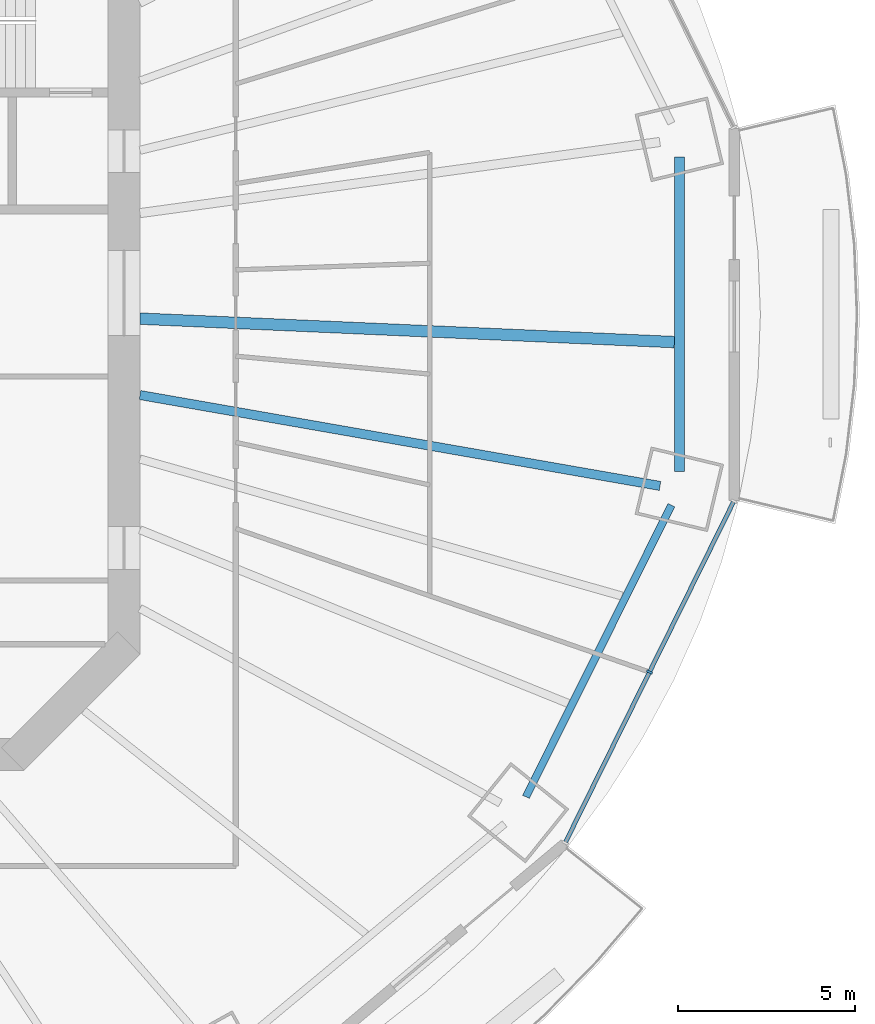
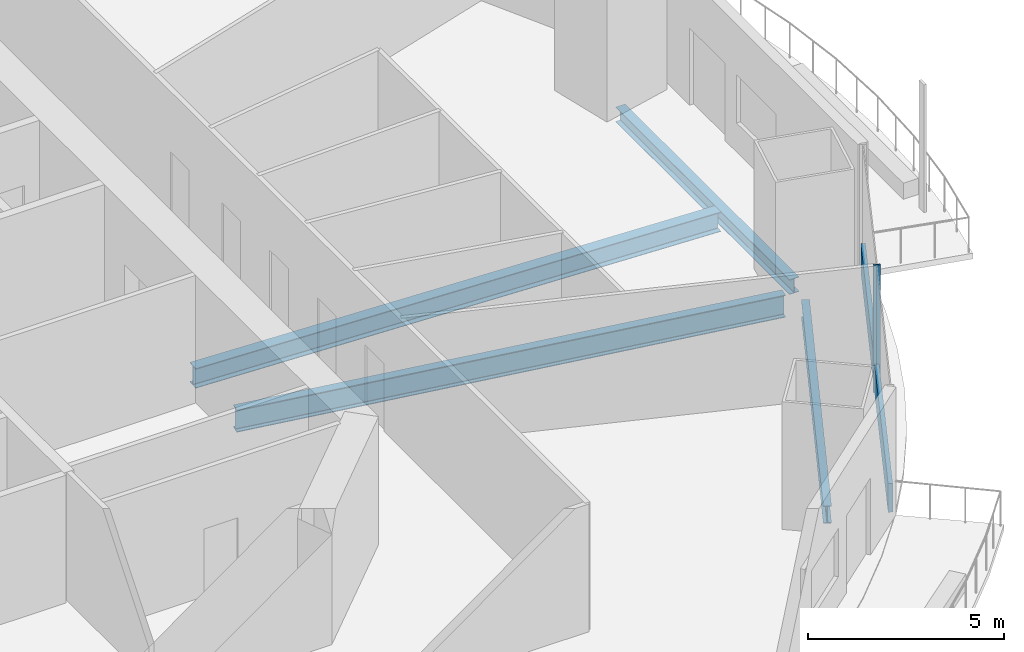
# One storey, part 5 of 20: 4 beams, 2 members, 1 element without a shape of its own.
"""IFC4 building model written with IfcOpenShell, lengths in metres."""

from ifc_helpers import new_model, si_unit, direction, frame, origin, origin_2d, place, context, subcontext, project, spatial, rectangle, i_section, extrude, material, material_profile, profile_set, type_object, element, aggregate, save


model = new_model("IFC4")

# Units and contexts
model_context = context("Model", 3, precision=1e-05, world=origin(), true_north=direction((0.0, 1.0)))
body_context = subcontext(model_context, "Body", "Model", "MODEL_VIEW")
ifc_project = project(units=[si_unit("LENGTHUNIT", "METRE"), si_unit("AREAUNIT", "SQUARE_METRE"), si_unit("VOLUMEUNIT", "CUBIC_METRE"), si_unit("PLANEANGLEUNIT", "RADIAN"), si_unit("MASSUNIT", "GRAM", prefix="KILO")], contexts=[model_context])

# Site, building, storey
site_placement = place(None, origin())
site = spatial("IfcSite", under=ifc_project, at=site_placement, CompositionType="ELEMENT")
building_placement = place(site_placement, origin())
building = spatial("IfcBuilding", under=site, at=building_placement, Name="Marenthal Gate Tower", CompositionType="ELEMENT")
storey_placement = place(building_placement, frame((0.0, 0.0, 194.25)))
storey = spatial("IfcBuildingStorey", under=building, at=storey_placement, Name="L42", CompositionType="ELEMENT", Elevation=194.25)

# Curtain wall, members
ifc_material_1 = material(Name="Aluminium and glass", Category="aluminium")
curtain_wall_type = type_object("IfcCurtainWallType", Name="Curtain wall typical mid", PredefinedType="NOTDEFINED", material=ifc_material_1)
curtain_wall_placement = place(storey_placement, origin())
curtain_wall = element("IfcCurtainWall", 1, at=curtain_wall_placement, inside=storey, type_object=curtain_wall_type, Name="Curtain wall L42 bay 15", PredefinedType="NOTDEFINED")
ifc_material_2 = material(Name="Aluminium", Category="aluminium")
ifc_material_profile_1 = material_profile(ifc_material_2, rectangle(XDim=0.179931640625, YDim=0.06005859375, at=origin_2d()), Name="60x180 aluminium mullion")
ifc_profile_set_1 = profile_set([ifc_material_profile_1], Name="Aluminium")
member_type_1 = type_object("IfcMemberType", Name="Mullion 60x180 typical mid", PredefinedType="MULLION", material=ifc_profile_set_1)
member_1_placement = place(storey_placement, frame((30.8095703125, -10.681640625, 0.0), z_axis=(0.0, 0.0, 1.0), x_axis=(-0.896680826174, 0.442677643406, 0.0)))
member_1 = element("IfcMember", 2, at=member_1_placement, type_object=member_type_1, Name="Mullion L42 bay 15.2", PredefinedType="MULLION", context=body_context, shape_type="SweptSolid", body=[
    extrude(rectangle(XDim=0.179931640625, YDim=0.06005859375, at=origin_2d()), origin(), (0.0, 0.0, 1.0), 3.969970703125),
])
ifc_material_3 = material(Name="Aluminium", Category="aluminium")
ifc_material_profile_2 = material_profile(ifc_material_3, rectangle(XDim=0.1201171875, YDim=0.89990234375, at=origin_2d()), Name="120x900 aluminium transom")
ifc_profile_set_2 = profile_set([ifc_material_profile_2], Name="Aluminium")
member_type_2 = type_object("IfcMemberType", Name="Transom 120x900 typical mid", PredefinedType="USERDEFINED", material=ifc_profile_set_2)
member_2_placement = place(storey_placement, frame((28.446044921875, -15.469482421875, 0.449951171875), z_axis=(0.442681148618, 0.896679095696, 0.0), x_axis=(-0.896679095696, 0.442681148618, 0.0)))
member_2 = element("IfcMember", 3, at=member_2_placement, type_object=member_type_2, Name="Transom L42 bay 15", ObjectType="TRANSOM", PredefinedType="USERDEFINED", context=body_context, shape_type="SweptSolid", body=[
    extrude(rectangle(XDim=0.1201171875, YDim=0.89990234375, at=origin_2d()), origin(), (0.0, 0.0, 1.0), 10.6787109375),
])
aggregate(curtain_wall, [member_1, member_2])

# Beams
ifc_material_4 = material(Name="Steel S355", Category="steel")
ifc_material_profile_3 = material_profile(ifc_material_4, i_section(OverallWidth=0.279052734375, OverallDepth=0.4619140625, WebThickness=0.0107421875, FlangeThickness=0.017333984375, FilletRadius=0.010009765625, at=origin_2d()), Name="W460X113")
ifc_profile_set_3 = profile_set([ifc_material_profile_3], Name="Steel S355")
beam_type_1 = type_object("IfcBeamType", Name="W460X113 beam", PredefinedType="BEAM", material=ifc_profile_set_3)
beam_1_placement = place(storey_placement, frame((31.650146484375, -5.029541015625, -0.410888671875), z_axis=(0.0, 1.0, 0.0), x_axis=(-1.0, 0.0, 0.0)))
element("IfcBeam", 4, at=beam_1_placement, inside=storey, type_object=beam_type_1, Name="BM-L42-56", PredefinedType="BEAM", context=body_context, shape_type="SweptSolid", body=[
    extrude(i_section(OverallWidth=0.279052734375, OverallDepth=0.4619140625, WebThickness=0.0107421875, FlangeThickness=0.017333984375, FilletRadius=0.010009765625, at=origin_2d()), origin(), (0.0, 0.0, 1.0), 8.859130859375),
])
ifc_material_5 = material(Name="Steel S355", Category="steel")
ifc_material_profile_4 = material_profile(ifc_material_5, i_section(OverallWidth=0.2119140625, OverallDepth=0.5439453125, WebThickness=0.01318359375, FlangeThickness=0.021240234375, FilletRadius=0.0126953125, at=origin_2d()), Name="W530X123")
ifc_profile_set_4 = profile_set([ifc_material_profile_4], Name="Steel S355")
beam_type_2 = type_object("IfcBeamType", Name="W530X123 beam", PredefinedType="BEAM", material=ifc_profile_set_4)
beam_2_placement = place(storey_placement, frame((27.327880859375, -14.19970703125, -0.451904296875), z_axis=(0.446267064466, 0.894899830804, 0.0), x_axis=(-0.894899830804, 0.446267064466, 0.0)))
element("IfcBeam", 5, at=beam_2_placement, inside=storey, type_object=beam_type_2, Name="BM-L42-55", PredefinedType="BEAM", context=body_context, shape_type="SweptSolid", body=[
    extrude(i_section(OverallWidth=0.2119140625, OverallDepth=0.5439453125, WebThickness=0.01318359375, FlangeThickness=0.021240234375, FilletRadius=0.0126953125, at=origin_2d()), origin(), (0.0, 0.0, 1.0), 9.184814453125),
])
ifc_material_6 = material(Name="Steel S355", Category="steel")
ifc_material_profile_5 = material_profile(ifc_material_6, i_section(OverallWidth=0.324951171875, OverallDepth=0.612060546875, WebThickness=0.0126953125, FlangeThickness=0.01904296875, FilletRadius=0.0126953125, at=origin_2d()), Name="W610X155")
ifc_profile_set_5 = profile_set([ifc_material_profile_5], Name="Steel S355")
beam_type_3 = type_object("IfcBeamType", Name="W610X155 beam", PredefinedType="BEAM", material=ifc_profile_set_5)
beam_3_placement = place(storey_placement, frame((31.5107421875, -1.383056640625, -0.486083984375), z_axis=(-0.999037889945, 0.043855381121, 0.0), x_axis=(-0.043855381121, -0.999037889945, 0.0)))
element("IfcBeam", 6, at=beam_3_placement, inside=storey, type_object=beam_type_3, Name="BM-L42-40", PredefinedType="BEAM", context=body_context, shape_type="SweptSolid", body=[
    extrude(i_section(OverallWidth=0.324951171875, OverallDepth=0.612060546875, WebThickness=0.0126953125, FlangeThickness=0.01904296875, FilletRadius=0.0126953125, at=origin_2d()), origin(), (0.0, 0.0, 1.0), 15.0751953125),
])
ifc_material_7 = material(Name="Steel S355", Category="steel")
ifc_material_profile_6 = material_profile(ifc_material_7, i_section(OverallWidth=0.257080078125, OverallDepth=0.693115234375, WebThickness=0.014404296875, FlangeThickness=0.023681640625, FilletRadius=0.015380859375, at=origin_2d()), Name="W690X170")
ifc_profile_set_6 = profile_set([ifc_material_profile_6], Name="Steel S355")
beam_type_4 = type_object("IfcBeamType", Name="W690X170 beam", PredefinedType="BEAM", material=ifc_profile_set_6)
beam_4_placement = place(storey_placement, frame((31.1064453125, -5.43701171875, -0.526611328125), z_axis=(-0.985066039894, 0.172176935296, 0.0), x_axis=(-0.172176935296, -0.985066039894, 0.0)))
element("IfcBeam", 7, at=beam_4_placement, inside=storey, type_object=beam_type_4, Name="BM-L42-16", PredefinedType="BEAM", context=body_context, shape_type="SweptSolid", body=[
    extrude(i_section(OverallWidth=0.257080078125, OverallDepth=0.693115234375, WebThickness=0.014404296875, FlangeThickness=0.023681640625, FilletRadius=0.015380859375, at=origin_2d()), origin(), (0.0, 0.0, 1.0), 14.878662109375),
])

save(model, "model.ifc")
